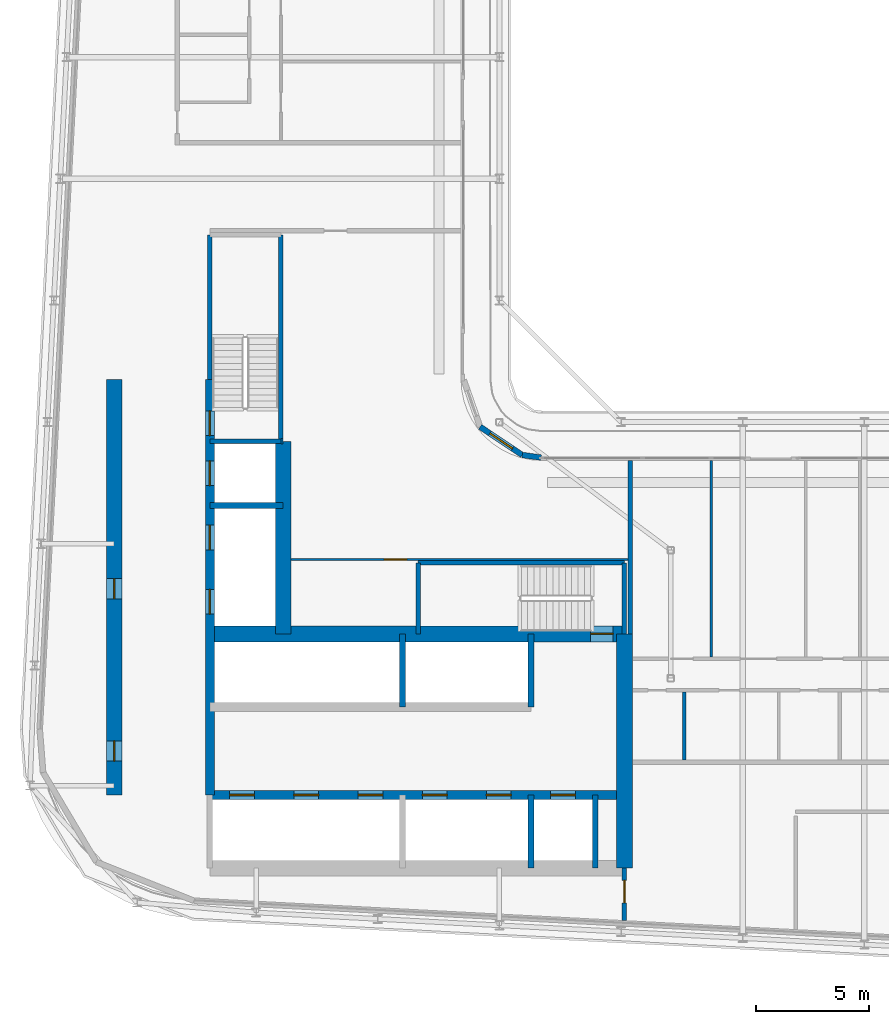
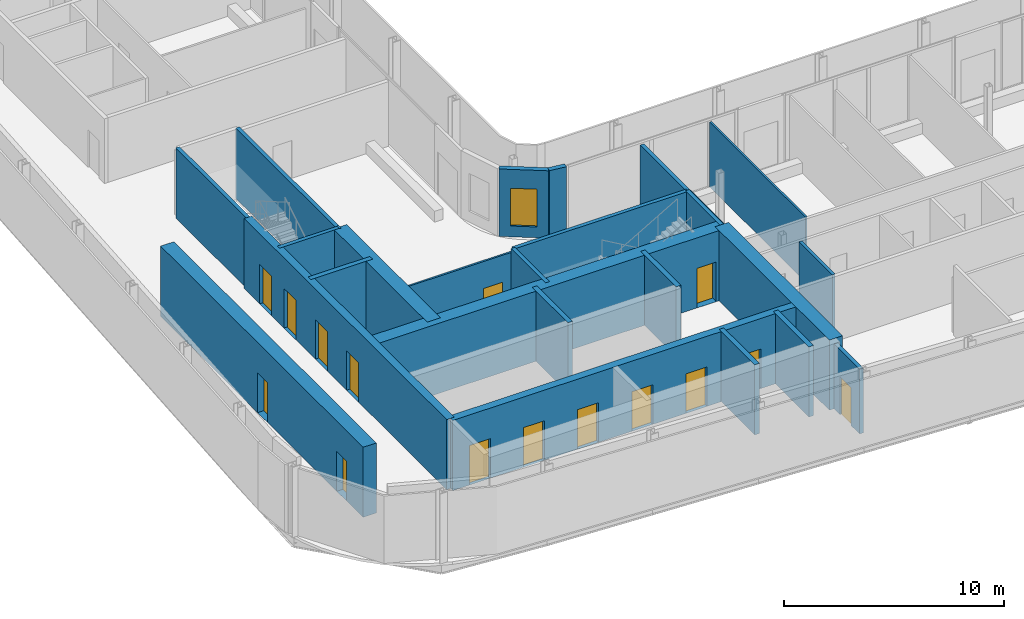
# One storey, part 10 of 21: 25 walls, 15 doors, 1 window, 16 openings.
"""IFC4 building model written with IfcOpenShell, lengths in metres."""

from ifc_helpers import new_model, si_unit, direction, frame, frame_2d, origin, place, context, subcontext, project, spatial, rectangle, extrude, source, transform, mapped, material, layer, layer_set, type_object, element, fill, save


model = new_model("IFC4")

# Units and contexts
model_context = context("Model", 3, precision=1e-05, world=origin(), true_north=direction((0.0, 1.0)))
body_context = subcontext(model_context, "Body", "Model", "MODEL_VIEW")
ifc_project = project(units=[si_unit("LENGTHUNIT", "METRE"), si_unit("AREAUNIT", "SQUARE_METRE"), si_unit("VOLUMEUNIT", "CUBIC_METRE"), si_unit("PLANEANGLEUNIT", "RADIAN"), si_unit("MASSUNIT", "GRAM", prefix="KILO")], contexts=[model_context])

# Site, building, storey
site_placement = place(None, origin())
site = spatial("IfcSite", under=ifc_project, at=site_placement, CompositionType="ELEMENT")
building_placement = place(site_placement, origin())
building = spatial("IfcBuilding", under=site, at=building_placement, Name="Kheshtan School and Residences Tower", CompositionType="ELEMENT")
storey_placement = place(building_placement, frame((0.0, 0.0, 227.89990234375)))
storey = spatial("IfcBuildingStorey", under=building, at=storey_placement, Name="L53", CompositionType="ELEMENT", Elevation=227.89990234375)

# Wall, openings, doors
ifc_material_1 = material(Name="Concrete C50/60", Category="concrete")
ifc_layer_1 = layer(ifc_material_1, 0.39990234375)
ifc_layer_set_1 = layer_set([ifc_layer_1], Name="Core wall 400 Concrete C50/60")
wall_type_1 = type_object("IfcWallType", Name="Core wall 400 Concrete C50/60", PredefinedType="SHEAR", material=ifc_layer_set_1)
wall_1_placement = place(storey_placement, frame((34.75, 29.050048828125, 0.0), z_axis=(0.0, 0.0, 1.0), x_axis=(1.0, 0.0, 0.0)))
wall_1 = element("IfcWall", 1, at=wall_1_placement, inside=storey, type_object=wall_type_1, Name="Core wall CW-HALL-S1", PredefinedType="SHEAR", context=body_context, shape_type="SweptSolid", body=[
    extrude(rectangle(XDim=18.39990234375, YDim=0.39990234375, at=frame_2d((9.199951171875, 0.0))), origin(), (0.0, 0.0, 1.0), 3.900146484375),
])
opening_1_placement = place(wall_1_placement, frame((0.875, 0.0, 0.0)))
opening_1 = element("IfcOpeningElement", 2, at=opening_1_placement, cuts=wall_1, Name="Opening LD", PredefinedType="OPENING", context=body_context, shape_type="SweptSolid", body=[
    extrude(rectangle(XDim=1.10009765625, YDim=2.199951171875, at=frame_2d((0.550048828125, 1.10009765625))), frame((0.0, 0.2099609375, 0.0), z_axis=(0.0, -1.0, 0.0), x_axis=(1.0, 0.0, 0.0)), (0.0, 0.0, 1.0), 0.419921875),
])
opening_2_placement = place(wall_1_placement, frame((3.72509765625, 0.0, 0.0)))
opening_2 = element("IfcOpeningElement", 3, at=opening_2_placement, cuts=wall_1, Name="Opening LD", PredefinedType="OPENING", context=body_context, shape_type="SweptSolid", body=[
    extrude(rectangle(XDim=1.10009765625, YDim=2.199951171875, at=frame_2d((0.550048828125, 1.10009765625))), frame((0.0, 0.2099609375, 0.0), z_axis=(0.0, -1.0, 0.0), x_axis=(1.0, 0.0, 0.0)), (0.0, 0.0, 1.0), 0.419921875),
])
opening_3_placement = place(wall_1_placement, frame((6.574951171875, 0.0, 0.0)))
opening_3 = element("IfcOpeningElement", 4, at=opening_3_placement, cuts=wall_1, Name="Opening LD", PredefinedType="OPENING", context=body_context, shape_type="SweptSolid", body=[
    extrude(rectangle(XDim=1.10009765625, YDim=2.199951171875, at=frame_2d((0.550048828125, 1.10009765625))), frame((0.0, 0.2099609375, 0.0), z_axis=(0.0, -1.0, 0.0), x_axis=(1.0, 0.0, 0.0)), (0.0, 0.0, 1.0), 0.419921875),
])
opening_4_placement = place(wall_1_placement, frame((9.425048828125, 0.0, 0.0)))
opening_4 = element("IfcOpeningElement", 5, at=opening_4_placement, cuts=wall_1, Name="Opening LD", PredefinedType="OPENING", context=body_context, shape_type="SweptSolid", body=[
    extrude(rectangle(XDim=1.10009765625, YDim=2.199951171875, at=frame_2d((0.550048828125, 1.10009765625))), frame((0.0, 0.2099609375, 0.0), z_axis=(0.0, -1.0, 0.0), x_axis=(1.0, 0.0, 0.0)), (0.0, 0.0, 1.0), 0.419921875),
])
opening_5_placement = place(wall_1_placement, frame((12.27490234375, 0.0, 0.0)))
opening_5 = element("IfcOpeningElement", 6, at=opening_5_placement, cuts=wall_1, Name="Opening LD", PredefinedType="OPENING", context=body_context, shape_type="SweptSolid", body=[
    extrude(rectangle(XDim=1.10009765625, YDim=2.199951171875, at=frame_2d((0.550048828125, 1.10009765625))), frame((0.0, 0.2099609375, 0.0), z_axis=(0.0, -1.0, 0.0), x_axis=(1.0, 0.0, 0.0)), (0.0, 0.0, 1.0), 0.419921875),
])
opening_6_placement = place(wall_1_placement, frame((15.125, 0.0, 0.0)))
opening_6 = element("IfcOpeningElement", 7, at=opening_6_placement, cuts=wall_1, Name="Opening LD", PredefinedType="OPENING", context=body_context, shape_type="SweptSolid", body=[
    extrude(rectangle(XDim=1.10009765625, YDim=2.199951171875, at=frame_2d((0.550048828125, 1.10009765625))), frame((0.0, 0.2099609375, 0.0), z_axis=(0.0, -1.0, 0.0), x_axis=(1.0, 0.0, 0.0)), (0.0, 0.0, 1.0), 0.419921875),
])
ifc_material_2 = material(Name="Stainless steel door leaves", Category="steel")
door_type_1 = type_object("IfcDoorType", Name="Lift landing door 1100", OperationType="SLIDING_TO_LEFT", PredefinedType="DOOR", material=ifc_material_2)
shared_shape_1 = source(origin(), body_context, "Body", "SweptSolid", [
    extrude(rectangle(XDim=1.10009765625, YDim=2.199951171875, at=frame_2d((0.550048828125, 1.10009765625))), frame((0.0, 0.02490234375, 0.0), z_axis=(0.0, -1.0, 0.0), x_axis=(1.0, 0.0, 0.0)), (0.0, 0.0, 1.0), 0.050048828125),
])
door_1_placement = place(opening_1_placement, origin())
door_1 = element("IfcDoor", 8, at=door_1_placement, inside=storey, type_object=door_type_1, Name="Lift P7 landing door", OperationType="SLIDING_TO_LEFT", OverallHeight=2.199951171875, OverallWidth=1.10009765625, PredefinedType="DOOR", context=body_context, shape_type="MappedRepresentation", body=[
    mapped(shared_shape_1, transform((0.0, 0.0, 0.0), x_axis=(1.0, 0.0, 0.0), y_axis=(0.0, 1.0, 0.0), z_axis=(0.0, 0.0, 1.0), scale=1.0)),
])
fill(opening_1, door_1)
door_2_placement = place(opening_2_placement, origin())
door_2 = element("IfcDoor", 9, at=door_2_placement, inside=storey, type_object=door_type_1, Name="Lift P8 landing door", OperationType="SLIDING_TO_LEFT", OverallHeight=2.199951171875, OverallWidth=1.10009765625, PredefinedType="DOOR", context=body_context, shape_type="MappedRepresentation", body=[
    mapped(shared_shape_1, transform((0.0, 0.0, 0.0), x_axis=(1.0, 0.0, 0.0), y_axis=(0.0, 1.0, 0.0), z_axis=(0.0, 0.0, 1.0), scale=1.0)),
])
fill(opening_2, door_2)
door_3_placement = place(opening_3_placement, origin())
door_3 = element("IfcDoor", 10, at=door_3_placement, inside=storey, type_object=door_type_1, Name="Lift P9 landing door", OperationType="SLIDING_TO_LEFT", OverallHeight=2.199951171875, OverallWidth=1.10009765625, PredefinedType="DOOR", context=body_context, shape_type="MappedRepresentation", body=[
    mapped(shared_shape_1, transform((0.0, 0.0, 0.0), x_axis=(1.0, 0.0, 0.0), y_axis=(0.0, 1.0, 0.0), z_axis=(0.0, 0.0, 1.0), scale=1.0)),
])
fill(opening_3, door_3)
door_4_placement = place(opening_4_placement, origin())
door_4 = element("IfcDoor", 11, at=door_4_placement, inside=storey, type_object=door_type_1, Name="Lift P10 landing door", OperationType="SLIDING_TO_LEFT", OverallHeight=2.199951171875, OverallWidth=1.10009765625, PredefinedType="DOOR", context=body_context, shape_type="MappedRepresentation", body=[
    mapped(shared_shape_1, transform((0.0, 0.0, 0.0), x_axis=(1.0, 0.0, 0.0), y_axis=(0.0, 1.0, 0.0), z_axis=(0.0, 0.0, 1.0), scale=1.0)),
])
fill(opening_4, door_4)
door_5_placement = place(opening_5_placement, origin())
door_5 = element("IfcDoor", 12, at=door_5_placement, inside=storey, type_object=door_type_1, Name="Lift P11 landing door", OperationType="SLIDING_TO_LEFT", OverallHeight=2.199951171875, OverallWidth=1.10009765625, PredefinedType="DOOR", context=body_context, shape_type="MappedRepresentation", body=[
    mapped(shared_shape_1, transform((0.0, 0.0, 0.0), x_axis=(1.0, 0.0, 0.0), y_axis=(0.0, 1.0, 0.0), z_axis=(0.0, 0.0, 1.0), scale=1.0)),
])
fill(opening_5, door_5)
door_6_placement = place(opening_6_placement, origin())
door_6 = element("IfcDoor", 13, at=door_6_placement, inside=storey, type_object=door_type_1, Name="Lift FFL2 landing door", OperationType="SLIDING_TO_LEFT", OverallHeight=2.199951171875, OverallWidth=1.10009765625, PredefinedType="DOOR", context=body_context, shape_type="MappedRepresentation", body=[
    mapped(shared_shape_1, transform((0.0, 0.0, 0.0), x_axis=(1.0, 0.0, 0.0), y_axis=(0.0, 1.0, 0.0), z_axis=(0.0, 0.0, 1.0), scale=1.0)),
])
fill(opening_6, door_6)

wall_2_placement = place(storey_placement, frame((34.75, 29.050048828125, 0.0), z_axis=(0.0, 0.0, 1.0), x_axis=(0.0, 1.0, 0.0)))
wall_2 = element("IfcWall", 14, at=wall_2_placement, inside=storey, type_object=wall_type_1, Name="Core wall CW-HALL-W1", PredefinedType="SHEAR", context=body_context, shape_type="SweptSolid", body=[
    extrude(rectangle(XDim=18.449951171875, YDim=0.39990234375, at=frame_2d((9.22509765625, 0.0))), origin(), (0.0, 0.0, 1.0), 3.900146484375),
])
opening_7_placement = place(wall_2_placement, frame((8.02490234375, 0.0, 0.0)))
opening_7 = element("IfcOpeningElement", 15, at=opening_7_placement, cuts=wall_2, Name="Opening LD", PredefinedType="OPENING", context=body_context, shape_type="SweptSolid", body=[
    extrude(rectangle(XDim=1.10009765625, YDim=2.199951171875, at=frame_2d((0.550048828125, 1.10009765625))), frame((0.0, 0.2099609375, 0.0), z_axis=(0.0, -1.0, 0.0), x_axis=(1.0, 0.0, 0.0)), (0.0, 0.0, 1.0), 0.419921875),
])
opening_8_placement = place(wall_2_placement, frame((10.875, 0.0, 0.0)))
opening_8 = element("IfcOpeningElement", 16, at=opening_8_placement, cuts=wall_2, Name="Opening LD", PredefinedType="OPENING", context=body_context, shape_type="SweptSolid", body=[
    extrude(rectangle(XDim=1.10009765625, YDim=2.199951171875, at=frame_2d((0.550048828125, 1.10009765625))), frame((0.0, 0.2099609375, 0.0), z_axis=(0.0, -1.0, 0.0), x_axis=(1.0, 0.0, 0.0)), (0.0, 0.0, 1.0), 0.419921875),
])
opening_9_placement = place(wall_2_placement, frame((13.72509765625, 0.0, 0.0)))
opening_9 = element("IfcOpeningElement", 17, at=opening_9_placement, cuts=wall_2, Name="Opening LD", PredefinedType="OPENING", context=body_context, shape_type="SweptSolid", body=[
    extrude(rectangle(XDim=1.10009765625, YDim=2.199951171875, at=frame_2d((0.550048828125, 1.10009765625))), frame((0.0, 0.2099609375, 0.0), z_axis=(0.0, -1.0, 0.0), x_axis=(1.0, 0.0, 0.0)), (0.0, 0.0, 1.0), 0.419921875),
])
opening_10_placement = place(wall_2_placement, frame((15.949951171875, 0.0, 0.0)))
opening_10 = element("IfcOpeningElement", 18, at=opening_10_placement, cuts=wall_2, Name="Opening ST2D", PredefinedType="OPENING", context=body_context, shape_type="SweptSolid", body=[
    extrude(rectangle(XDim=1.10009765625, YDim=2.199951171875, at=frame_2d((0.550048828125, 1.10009765625))), frame((0.0, 0.2099609375, 0.0), z_axis=(0.0, -1.0, 0.0), x_axis=(1.0, 0.0, 0.0)), (0.0, 0.0, 1.0), 0.419921875),
])
door_7_placement = place(opening_7_placement, origin())
door_7 = element("IfcDoor", 19, at=door_7_placement, inside=storey, type_object=door_type_1, Name="Lift SV1 landing door", OperationType="SLIDING_TO_LEFT", OverallHeight=2.199951171875, OverallWidth=1.10009765625, PredefinedType="DOOR", context=body_context, shape_type="MappedRepresentation", body=[
    mapped(shared_shape_1, transform((0.0, 0.0, 0.0), x_axis=(1.0, 0.0, 0.0), y_axis=(0.0, 1.0, 0.0), z_axis=(0.0, 0.0, 1.0), scale=1.0)),
])
fill(opening_7, door_7)
door_8_placement = place(opening_8_placement, origin())
door_8 = element("IfcDoor", 20, at=door_8_placement, inside=storey, type_object=door_type_1, Name="Lift SV2 landing door", OperationType="SLIDING_TO_LEFT", OverallHeight=2.199951171875, OverallWidth=1.10009765625, PredefinedType="DOOR", context=body_context, shape_type="MappedRepresentation", body=[
    mapped(shared_shape_1, transform((0.0, 0.0, 0.0), x_axis=(1.0, 0.0, 0.0), y_axis=(0.0, 1.0, 0.0), z_axis=(0.0, 0.0, 1.0), scale=1.0)),
])
fill(opening_8, door_8)
door_9_placement = place(opening_9_placement, origin())
door_9 = element("IfcDoor", 21, at=door_9_placement, inside=storey, type_object=door_type_1, Name="Lift FFL1 landing door", OperationType="SLIDING_TO_LEFT", OverallHeight=2.199951171875, OverallWidth=1.10009765625, PredefinedType="DOOR", context=body_context, shape_type="MappedRepresentation", body=[
    mapped(shared_shape_1, transform((0.0, 0.0, 0.0), x_axis=(1.0, 0.0, 0.0), y_axis=(0.0, 1.0, 0.0), z_axis=(0.0, 0.0, 1.0), scale=1.0)),
])
fill(opening_9, door_9)
ifc_material_3 = material(Name="Steel door leaf, galvanised", Category="steel")
door_type_2 = type_object("IfcDoorType", Name="Stair door 1100 steel 90 min", OperationType="SINGLE_SWING_LEFT", PredefinedType="DOOR", material=ifc_material_3)
shared_shape_2 = source(origin(), body_context, "Body", "SweptSolid", [
    extrude(rectangle(XDim=1.10009765625, YDim=2.199951171875, at=frame_2d((0.550048828125, 1.10009765625))), frame((0.0, 0.02490234375, 0.0), z_axis=(0.0, -1.0, 0.0), x_axis=(1.0, 0.0, 0.0)), (0.0, 0.0, 1.0), 0.050048828125),
])
door_10_placement = place(opening_10_placement, origin())
door_10 = element("IfcDoor", 22, at=door_10_placement, inside=storey, type_object=door_type_2, Name="Stair ST2 door", OperationType="SINGLE_SWING_RIGHT", OverallHeight=2.199951171875, OverallWidth=1.10009765625, PredefinedType="DOOR", context=body_context, shape_type="MappedRepresentation", body=[
    mapped(shared_shape_2, transform((0.0, 0.0, 0.0), x_axis=(1.0, 0.0, 0.0), y_axis=(0.0, 1.0, 0.0), z_axis=(0.0, 0.0, 1.0), scale=1.0)),
])
fill(opening_10, door_10)

# Wall, opening, door
ifc_material_4 = material(Name="Concrete C70/85", Category="concrete")
ifc_layer_2 = layer(ifc_material_4, 0.699951171875)
ifc_layer_set_2 = layer_set([ifc_layer_2], Name="Core wall 700 Concrete C70/85")
wall_type_2 = type_object("IfcWallType", Name="Core wall 700 Concrete C70/85", PredefinedType="SHEAR", material=ifc_layer_set_2)
wall_3_placement = place(storey_placement, frame((34.75, 36.199951171875, 0.0), z_axis=(0.0, 0.0, 1.0), x_axis=(1.0, 0.0, 0.0)))
wall_3 = element("IfcWall", 23, at=wall_3_placement, inside=storey, type_object=wall_type_2, Name="Core wall CW-FRONT-S", PredefinedType="SHEAR", context=body_context, shape_type="SweptSolid", body=[
    extrude(rectangle(XDim=18.39990234375, YDim=0.699951171875, at=frame_2d((9.199951171875, 0.0))), origin(), (0.0, 0.0, 1.0), 3.900146484375),
])
opening_11_placement = place(wall_3_placement, frame((16.89990234375, 0.0, 0.0)))
opening_11 = element("IfcOpeningElement", 24, at=opening_11_placement, cuts=wall_3, Name="Opening ST1D", PredefinedType="OPENING", context=body_context, shape_type="SweptSolid", body=[
    extrude(rectangle(XDim=1.0, YDim=2.199951171875, at=frame_2d((0.5, 1.10009765625))), frame((0.0, 0.35986328125, 0.0), z_axis=(0.0, -1.0, 0.0), x_axis=(1.0, 0.0, 0.0)), (0.0, 0.0, 1.0), 0.719970703125),
])
shared_shape_3 = source(origin(), body_context, "Body", "SweptSolid", [
    extrude(rectangle(XDim=1.0, YDim=2.199951171875, at=frame_2d((0.5, 1.10009765625))), frame((0.0, 0.02490234375, 0.0), z_axis=(0.0, -1.0, 0.0), x_axis=(1.0, 0.0, 0.0)), (0.0, 0.0, 1.0), 0.050048828125),
])
door_11_placement = place(opening_11_placement, origin())
door_11 = element("IfcDoor", 25, at=door_11_placement, inside=storey, type_object=door_type_2, Name="Stair ST1 door", OperationType="SINGLE_SWING_RIGHT", OverallHeight=2.199951171875, OverallWidth=1.0, PredefinedType="DOOR", context=body_context, shape_type="MappedRepresentation", body=[
    mapped(shared_shape_3, transform((0.0, 0.0, 0.0), x_axis=(1.0, 0.0, 0.0), y_axis=(0.0, 1.0, 0.0), z_axis=(0.0, 0.0, 1.0), scale=1.0)),
])
fill(opening_11, door_11)

# Wall
wall_4_placement = place(storey_placement, frame((38.0, 36.199951171875, 0.0), z_axis=(0.0, 0.0, 1.0), x_axis=(0.0, 1.0, 0.0)))
element("IfcWall", 26, at=wall_4_placement, inside=storey, type_object=wall_type_2, Name="Core wall CW-FRONT-W", PredefinedType="SHEAR", context=body_context, shape_type="SweptSolid", body=[
    extrude(rectangle(XDim=8.550048828125, YDim=0.699951171875, at=frame_2d((4.27490234375, 0.0))), origin(), (0.0, 0.0, 1.0), 3.900146484375),
])

# Wall, openings, doors
wall_5_placement = place(storey_placement, frame((30.5, 29.050048828125, 0.0), z_axis=(0.0, 0.0, 1.0), x_axis=(0.0, 1.0, 0.0)))
wall_5 = element("IfcWall", 27, at=wall_5_placement, inside=storey, type_object=wall_type_2, Name="Core wall CW-REAR-W", PredefinedType="SHEAR", context=body_context, shape_type="SweptSolid", body=[
    extrude(rectangle(XDim=18.449951171875, YDim=0.699951171875, at=frame_2d((9.22509765625, 0.0))), origin(), (0.0, 0.0, 1.0), 3.900146484375),
])
opening_12_placement = place(wall_5_placement, frame((1.5, 0.0, 0.0)))
opening_12 = element("IfcOpeningElement", 28, at=opening_12_placement, cuts=wall_5, Name="Opening SR90", PredefinedType="OPENING", context=body_context, shape_type="SweptSolid", body=[
    extrude(rectangle(XDim=0.89990234375, YDim=2.199951171875, at=frame_2d((0.449951171875, 1.10009765625))), frame((0.0, 0.35986328125, 0.0), z_axis=(0.0, -1.0, 0.0), x_axis=(1.0, 0.0, 0.0)), (0.0, 0.0, 1.0), 0.719970703125),
])
opening_13_placement = place(wall_5_placement, frame((8.705078125, 0.0, 0.0)))
opening_13 = element("IfcOpeningElement", 29, at=opening_13_placement, cuts=wall_5, Name="Opening SR90", PredefinedType="OPENING", context=body_context, shape_type="SweptSolid", body=[
    extrude(rectangle(XDim=0.89990234375, YDim=2.199951171875, at=frame_2d((0.449951171875, 1.10009765625))), frame((0.0, 0.35986328125, 0.0), z_axis=(0.0, -1.0, 0.0), x_axis=(1.0, 0.0, 0.0)), (0.0, 0.0, 1.0), 0.719970703125),
])
door_type_3 = type_object("IfcDoorType", Name="Service room door 900 steel 90 min", OperationType="SINGLE_SWING_LEFT", PredefinedType="DOOR", material=ifc_material_3)
shared_shape_4 = source(origin(), body_context, "Body", "SweptSolid", [
    extrude(rectangle(XDim=0.89990234375, YDim=2.199951171875, at=frame_2d((0.449951171875, 1.10009765625))), frame((0.0, 0.02490234375, 0.0), z_axis=(0.0, -1.0, 0.0), x_axis=(1.0, 0.0, 0.0)), (0.0, 0.0, 1.0), 0.050048828125),
])
door_12_placement = place(opening_12_placement, origin())
door_12 = element("IfcDoor", 30, at=door_12_placement, inside=storey, type_object=door_type_3, Name="Service room door", OperationType="SINGLE_SWING_LEFT", OverallHeight=2.199951171875, OverallWidth=0.89990234375, PredefinedType="DOOR", context=body_context, shape_type="MappedRepresentation", body=[
    mapped(shared_shape_4, transform((0.0, 0.0, 0.0), x_axis=(1.0, 0.0, 0.0), y_axis=(0.0, 1.0, 0.0), z_axis=(0.0, 0.0, 1.0), scale=1.0)),
])
fill(opening_12, door_12)
door_13_placement = place(opening_13_placement, origin())
door_13 = element("IfcDoor", 31, at=door_13_placement, inside=storey, type_object=door_type_3, Name="Service room door", OperationType="SINGLE_SWING_LEFT", OverallHeight=2.199951171875, OverallWidth=0.89990234375, PredefinedType="DOOR", context=body_context, shape_type="MappedRepresentation", body=[
    mapped(shared_shape_4, transform((0.0, 0.0, 0.0), x_axis=(1.0, 0.0, 0.0), y_axis=(0.0, 1.0, 0.0), z_axis=(0.0, 0.0, 1.0), scale=1.0)),
])
fill(opening_13, door_13)

# Wall
wall_6_placement = place(storey_placement, frame((53.14990234375, 25.800048828125, 0.0), z_axis=(0.0, 0.0, 1.0), x_axis=(0.0, 1.0, 0.0)))
element("IfcWall", 32, at=wall_6_placement, inside=storey, type_object=wall_type_2, Name="Core wall CW-EAST", PredefinedType="SHEAR", context=body_context, shape_type="SweptSolid", body=[
    extrude(rectangle(XDim=10.39990234375, YDim=0.699951171875, at=frame_2d((5.199951171875, 0.0))), origin(), (0.0, 0.0, 1.0), 3.900146484375),
])

# Wall, opening, door
ifc_material_5 = material(Name="Gypsum board on steel studs with fire boards", Category="steel")
ifc_layer_3 = layer(ifc_material_5, 0.199951171875)
ifc_layer_set_3 = layer_set([ifc_layer_3], Name="Corridor wall 200")
wall_type_3 = type_object("IfcWallType", Name="Corridor wall 200", PredefinedType="PARTITIONING", material=ifc_layer_set_3)
wall_7_placement = place(storey_placement, frame((53.14990234375, 23.472412109375, 0.0), z_axis=(0.0, 0.0, 1.0), x_axis=(0.0, 1.0, 0.0)))
wall_7 = element("IfcWall", 33, at=wall_7_placement, inside=storey, type_object=wall_type_3, Name="Partition L53-022", PredefinedType="PARTITIONING", context=body_context, shape_type="SweptSolid", body=[
    extrude(rectangle(XDim=2.32763671875, YDim=0.199951171875, at=frame_2d((1.163818359375, 0.0))), origin(), (0.0, 0.0, 1.0), 3.60009765625),
])
opening_14_placement = place(wall_7_placement, frame((0.784912109375, 0.0, 0.0)))
opening_14 = element("IfcOpeningElement", 34, at=opening_14_placement, cuts=wall_7, Name="Opening D52-032", PredefinedType="OPENING", context=body_context, shape_type="SweptSolid", body=[
    extrude(rectangle(XDim=1.0, YDim=2.10009765625, at=frame_2d((0.5, 1.050048828125))), frame((0.0, 0.10986328125, 0.0), z_axis=(0.0, -1.0, 0.0), x_axis=(1.0, 0.0, 0.0)), (0.0, 0.0, 1.0), 0.219970703125),
])
ifc_material_6 = material(Name="Steel-framed fire-resisting door leaf", Category="steel")
door_type_4 = type_object("IfcDoorType", Name="Fire door FD60 1000 x 2100", OperationType="SINGLE_SWING_LEFT", PredefinedType="DOOR", material=ifc_material_6)
shared_shape_5 = source(origin(), body_context, "Body", "SweptSolid", [
    extrude(rectangle(XDim=1.0, YDim=2.10009765625, at=frame_2d((0.5, 1.050048828125))), frame((0.0, 0.02490234375, 0.0), z_axis=(0.0, -1.0, 0.0), x_axis=(1.0, 0.0, 0.0)), (0.0, 0.0, 1.0), 0.050048828125),
])
door_14_placement = place(opening_14_placement, origin())
door_14 = element("IfcDoor", 35, at=door_14_placement, inside=storey, type_object=door_type_4, Name="Door D52-032", OperationType="SINGLE_SWING_RIGHT", OverallHeight=2.10009765625, OverallWidth=1.0, PredefinedType="DOOR", context=body_context, shape_type="MappedRepresentation", body=[
    mapped(shared_shape_5, transform((0.0, 0.0, 0.0), x_axis=(1.0, 0.0, 0.0), y_axis=(0.0, 1.0, 0.0), z_axis=(0.0, 0.0, 1.0), scale=1.0)),
])
fill(opening_14, door_14)

# Wall, opening, window
ifc_material_7 = material(Name="Concrete C40/50 with ceramic cladding and mineral wool insulation", Category="concrete")
ifc_layer_4 = layer(ifc_material_7, 0.25)
ifc_layer_set_4 = layer_set([ifc_layer_4], Name="External wall 250 ceramic clad")
wall_type_4 = type_object("IfcWallType", Name="External wall 250 ceramic clad", PredefinedType="SOLIDWALL", material=ifc_layer_set_4)
wall_8_placement = place(storey_placement, frame((46.742919921875, 45.388916015625, 0.0), z_axis=(0.0, 0.0, 1.0), x_axis=(0.831449265529, -0.555600682912, 0.0)))
wall_8 = element("IfcWall", 36, at=wall_8_placement, inside=storey, type_object=wall_type_4, Name="External wall L53 6", PredefinedType="SOLIDWALL", context=body_context, shape_type="SweptSolid", body=[
    extrude(rectangle(XDim=2.25146484375, YDim=0.25, at=frame_2d((1.125732421875, 0.0))), origin(), (0.0, 0.0, 1.0), 3.75),
])
opening_15_placement = place(wall_8_placement, frame((0.52490234375, 0.0, 0.60009765625)))
opening_15 = element("IfcOpeningElement", 37, at=opening_15_placement, cuts=wall_8, Name="Opening WN-E", PredefinedType="OPENING", context=body_context, shape_type="SweptSolid", body=[
    extrude(rectangle(XDim=1.199951171875, YDim=2.10009765625, at=frame_2d((0.60009765625, 1.050048828125))), frame((0.0, 0.135009765625, 0.0), z_axis=(0.0, -1.0, 0.0), x_axis=(1.0, 0.0, 0.0)), (0.0, 0.0, 1.0), 0.27001953125),
])
ifc_material_8 = material(Name="Clear low-e glass in thermally broken aluminium frame", Category="aluminium")
window_type = type_object("IfcWindowType", Name="Window WN-E", PartitioningType="SINGLE_PANEL", PredefinedType="WINDOW", material=ifc_material_8)
shared_shape_6 = source(origin(), body_context, "Body", "SweptSolid", [
    extrude(rectangle(XDim=1.199951171875, YDim=2.10009765625, at=frame_2d((0.60009765625, 1.050048828125))), frame((0.0, 0.030029296875, 0.0), z_axis=(0.0, -1.0, 0.0), x_axis=(1.0, 0.0, 0.0)), (0.0, 0.0, 1.0), 0.06005859375),
])
window_placement = place(opening_15_placement, origin())
window = element("IfcWindow", 38, at=window_placement, inside=storey, type_object=window_type, Name="Window L53 6", OverallHeight=2.10009765625, OverallWidth=1.199951171875, PartitioningType="SINGLE_PANEL", PredefinedType="WINDOW", context=body_context, shape_type="MappedRepresentation", body=[
    mapped(shared_shape_6, transform((0.0, 0.0, 0.0), x_axis=(1.0, 0.0, 0.0), y_axis=(0.0, 1.0, 0.0), z_axis=(0.0, 0.0, 1.0), scale=1.0)),
])
fill(opening_15, window)

# Wall
wall_9_placement = place(storey_placement, frame((48.614990234375, 44.137939453125, 0.0), z_axis=(0.0, 0.0, 1.0), x_axis=(0.990741504246, -0.135761819977, 0.0)))
element("IfcWall", 39, at=wall_9_placement, inside=storey, type_object=wall_type_4, Name="External wall L53 7", PredefinedType="SOLIDWALL", context=body_context, shape_type="SweptSolid", body=[
    extrude(rectangle(XDim=0.83984375, YDim=0.25, at=frame_2d((0.419921875, 0.0))), origin(), (0.0, 0.0, 1.0), 3.75),
])

# Wall, opening, door
ifc_material_9 = material(Name="Gypsum board on steel studs", Category="steel")
ifc_layer_5 = layer(ifc_material_9, 0.10009765625)
ifc_layer_set_5 = layer_set([ifc_layer_5], Name="Gypsum partition 100")
wall_type_5 = type_object("IfcWallType", Name="Gypsum partition 100", PredefinedType="PARTITIONING", material=ifc_layer_set_5)
wall_10_placement = place(storey_placement, frame((38.34912109375, 39.5, 0.0), z_axis=(0.0, 0.0, 1.0), x_axis=(1.0, 0.0, 0.0)))
wall_10 = element("IfcWall", 40, at=wall_10_placement, inside=storey, type_object=wall_type_5, Name="Partition L53-021", PredefinedType="PARTITIONING", context=body_context, shape_type="SweptSolid", body=[
    extrude(rectangle(XDim=14.950927734375, YDim=0.10009765625, at=frame_2d((7.4755859375, 0.0))), origin(), (0.0, 0.0, 1.0), 3.60009765625),
])
opening_16_placement = place(wall_10_placement, frame((4.14697265625, 0.0, 0.0)))
opening_16 = element("IfcOpeningElement", 41, at=opening_16_placement, cuts=wall_10, Name="Opening D52-033", PredefinedType="OPENING", context=body_context, shape_type="SweptSolid", body=[
    extrude(rectangle(XDim=1.0, YDim=2.10009765625, at=frame_2d((0.5, 1.050048828125))), frame((0.0, 0.06005859375, 0.0), z_axis=(0.0, -1.0, 0.0), x_axis=(1.0, 0.0, 0.0)), (0.0, 0.0, 1.0), 0.1201171875),
])
ifc_material_10 = material(Name="Veneered timber door leaf", Category="wood")
door_type_5 = type_object("IfcDoorType", Name="Door 1000 x 2100", OperationType="SINGLE_SWING_LEFT", PredefinedType="DOOR", material=ifc_material_10)
shared_shape_7 = source(origin(), body_context, "Body", "SweptSolid", [
    extrude(rectangle(XDim=1.0, YDim=2.10009765625, at=frame_2d((0.5, 1.050048828125))), frame((0.0, 0.02490234375, 0.0), z_axis=(0.0, -1.0, 0.0), x_axis=(1.0, 0.0, 0.0)), (0.0, 0.0, 1.0), 0.050048828125),
])
door_15_placement = place(opening_16_placement, origin())
door_15 = element("IfcDoor", 42, at=door_15_placement, inside=storey, type_object=door_type_5, Name="Door D52-033", OperationType="SINGLE_SWING_LEFT", OverallHeight=2.10009765625, OverallWidth=1.0, PredefinedType="DOOR", context=body_context, shape_type="MappedRepresentation", body=[
    mapped(shared_shape_7, transform((0.0, 0.0, 0.0), x_axis=(1.0, 0.0, 0.0), y_axis=(0.0, 1.0, 0.0), z_axis=(0.0, 0.0, 1.0), scale=1.0)),
])
fill(opening_16, door_15)

# Walls
wall_11_placement = place(storey_placement, frame((57.0, 35.175048828125, 0.0), z_axis=(0.0, 0.0, 1.0), x_axis=(0.0, 1.0, 0.0)))
element("IfcWall", 43, at=wall_11_placement, inside=storey, type_object=wall_type_5, Name="Partition L53-028", PredefinedType="PARTITIONING", context=body_context, shape_type="SweptSolid", body=[
    extrude(rectangle(XDim=8.724853515625, YDim=0.10009765625, at=frame_2d((4.3623046875, 0.0))), origin(), (0.0, 0.0, 1.0), 3.60009765625),
])
ifc_material_11 = material(Name="Fire-board shaft wall system")
ifc_layer_6 = layer(ifc_material_11, 0.25)
ifc_layer_set_6 = layer_set([ifc_layer_6], Name="Shaft lining wall 250")
wall_type_6 = type_object("IfcWallType", Name="Shaft lining wall 250", PredefinedType="PARTITIONING", material=ifc_layer_set_6)
for number, where, z_axis, x_axis, name in (
    (44, (43.300048828125, 32.949951171875, 0.0), (0.0, 0.0, 1.0), (0.0, 1.0, 0.0), "Shaft lining wall"),
    (45, (49.0, 25.800048828125, 0.0), (0.0, 0.0, 1.0), (0.0, 1.0, 0.0), "Shaft lining wall"),
    (46, (49.0, 32.949951171875, 0.0), (0.0, 0.0, 1.0), (0.0, 1.0, 0.0), "Shaft lining wall"),
    (47, (51.85009765625, 25.800048828125, 0.0), (0.0, 0.0, 1.0), (0.0, 1.0, 0.0), "Shaft lining wall"),
    (48, (34.75, 41.89990234375, 0.0), (0.0, 0.0, 1.0), (1.0, 0.0, 0.0), "Shaft lining wall"),
):
    element("IfcWall", number, at=place(storey_placement, frame(where, z_axis=z_axis, x_axis=x_axis)), inside=storey, type_object=wall_type_6, Name=name, PredefinedType="PARTITIONING", context=body_context, shape_type="SweptSolid", body=[
        extrude(rectangle(XDim=3.25, YDim=0.25, at=frame_2d((1.625, 0.0))), origin(), (0.0, 0.0, 1.0), 3.900146484375),
    ])
wall_12_placement = place(storey_placement, frame((37.89990234375, 44.75, 0.0), z_axis=(0.0, 0.0, 1.0), x_axis=(1.0, 0.0, 0.0)))
element("IfcWall", 49, at=wall_12_placement, inside=storey, type_object=wall_type_6, Name="Shaft lining wall", PredefinedType="PARTITIONING", context=body_context, shape_type="SweptSolid", body=[
    extrude(rectangle(XDim=0.10009765625, YDim=0.25, at=frame_2d((0.050048828125, 0.0))), origin(), (0.0, 0.0, 1.0), 3.900146484375),
])
ifc_material_12 = material(Name="Concrete C40/50", Category="concrete")
ifc_layer_7 = layer(ifc_material_12, 0.199951171875)
ifc_layer_set_7 = layer_set([ifc_layer_7], Name="Stair enclosure wall 200 Concrete C40/50")
wall_type_7 = type_object("IfcWallType", Name="Stair enclosure wall 200 Concrete C40/50", PredefinedType="SHEAR", material=ifc_layer_set_7)
wall_13_placement = place(storey_placement, frame((43.989990234375, 39.35009765625, 0.0), z_axis=(0.0, 0.0, 1.0), x_axis=(1.0, 0.0, 0.0)))
element("IfcWall", 50, at=wall_13_placement, inside=storey, type_object=wall_type_7, Name="Stair enclosure wall ST1", PredefinedType="SHEAR", context=body_context, shape_type="SweptSolid", body=[
    extrude(rectangle(XDim=9.159912109375, YDim=0.199951171875, at=frame_2d((4.580078125, 0.0))), origin(), (0.0, 0.0, 1.0), 3.900146484375),
])
for number, where, z_axis, x_axis, name in (
    (51, (43.989990234375, 36.199951171875, 0.0), (0.0, 0.0, 1.0), (0.0, 1.0, 0.0), "Stair enclosure wall ST1"),
    (52, (53.14990234375, 36.199951171875, 0.0), (0.0, 0.0, 1.0), (0.0, 1.0, 0.0), "Stair enclosure wall ST1"),
):
    element("IfcWall", number, at=place(storey_placement, frame(where, z_axis=z_axis, x_axis=x_axis)), inside=storey, type_object=wall_type_7, Name=name, PredefinedType="SHEAR", context=body_context, shape_type="SweptSolid", body=[
        extrude(rectangle(XDim=3.150146484375, YDim=0.199951171875, at=frame_2d((1.5751953125, 0.0))), origin(), (0.0, 0.0, 1.0), 3.900146484375),
    ])
wall_14_placement = place(storey_placement, frame((34.75, 44.75, 0.0), z_axis=(0.0, 0.0, 1.0), x_axis=(1.0, 0.0, 0.0)))
element("IfcWall", 53, at=wall_14_placement, inside=storey, type_object=wall_type_7, Name="Stair enclosure wall ST2", PredefinedType="SHEAR", context=body_context, shape_type="SweptSolid", body=[
    extrude(rectangle(XDim=3.14990234375, YDim=0.199951171875, at=frame_2d((1.574951171875, 0.0))), origin(), (0.0, 0.0, 1.0), 3.900146484375),
])
wall_15_placement = place(storey_placement, frame((34.75, 47.5, 0.0), z_axis=(0.0, 0.0, 1.0), x_axis=(0.0, 1.0, 0.0)))
element("IfcWall", 54, at=wall_15_placement, inside=storey, type_object=wall_type_7, Name="Stair enclosure wall ST2", PredefinedType="SHEAR", context=body_context, shape_type="SweptSolid", body=[
    extrude(rectangle(XDim=6.409912109375, YDim=0.199951171875, at=frame_2d((3.205078125, 0.0))), origin(), (0.0, 0.0, 1.0), 3.900146484375),
])
wall_16_placement = place(storey_placement, frame((37.89990234375, 44.75, 0.0), z_axis=(0.0, 0.0, 1.0), x_axis=(0.0, 1.0, 0.0)))
element("IfcWall", 55, at=wall_16_placement, inside=storey, type_object=wall_type_7, Name="Stair enclosure wall ST2", PredefinedType="SHEAR", context=body_context, shape_type="SweptSolid", body=[
    extrude(rectangle(XDim=9.159912109375, YDim=0.199951171875, at=frame_2d((4.580078125, 0.0))), origin(), (0.0, 0.0, 1.0), 3.900146484375),
])
ifc_material_13 = material(Name="Twin gypsum board on steel studs with mineral wool", Category="steel")
ifc_layer_8 = layer(ifc_material_13, 0.199951171875)
ifc_layer_set_8 = layer_set([ifc_layer_8], Name="Unit demising wall 200")
wall_type_8 = type_object("IfcWallType", Name="Unit demising wall 200", PredefinedType="PARTITIONING", material=ifc_layer_set_8)
wall_17_placement = place(storey_placement, frame((53.39990234375, 36.198974609375, 0.0), z_axis=(0.0, 0.0, 1.0), x_axis=(0.0, 1.0, 0.0)))
element("IfcWall", 56, at=wall_17_placement, inside=storey, type_object=wall_type_8, Name="Partition L53-023", PredefinedType="PARTITIONING", context=body_context, shape_type="SweptSolid", body=[
    extrude(rectangle(XDim=7.700927734375, YDim=0.199951171875, at=frame_2d((3.8505859375, 0.0))), origin(), (0.0, 0.0, 1.0), 3.60009765625),
])
ifc_material_14 = material(Name="Moisture-resistant gypsum board on steel studs", Category="steel")
ifc_layer_9 = layer(ifc_material_14, 0.14990234375)
ifc_layer_set_9 = layer_set([ifc_layer_9], Name="Wet-room partition 150")
wall_type_9 = type_object("IfcWallType", Name="Wet-room partition 150", PredefinedType="PARTITIONING", material=ifc_layer_set_9)
wall_18_placement = place(storey_placement, frame((55.800048828125, 30.60009765625, 0.0), z_axis=(0.0, 0.0, 1.0), x_axis=(0.0, 1.0, 0.0)))
element("IfcWall", 57, at=wall_18_placement, inside=storey, type_object=wall_type_9, Name="Partition L53-027", PredefinedType="PARTITIONING", context=body_context, shape_type="SweptSolid", body=[
    extrude(rectangle(XDim=3.02490234375, YDim=0.14990234375, at=frame_2d((1.512451171875, 0.0))), origin(), (0.0, 0.0, 1.0), 3.60009765625),
])

save(model, "model.ifc")
